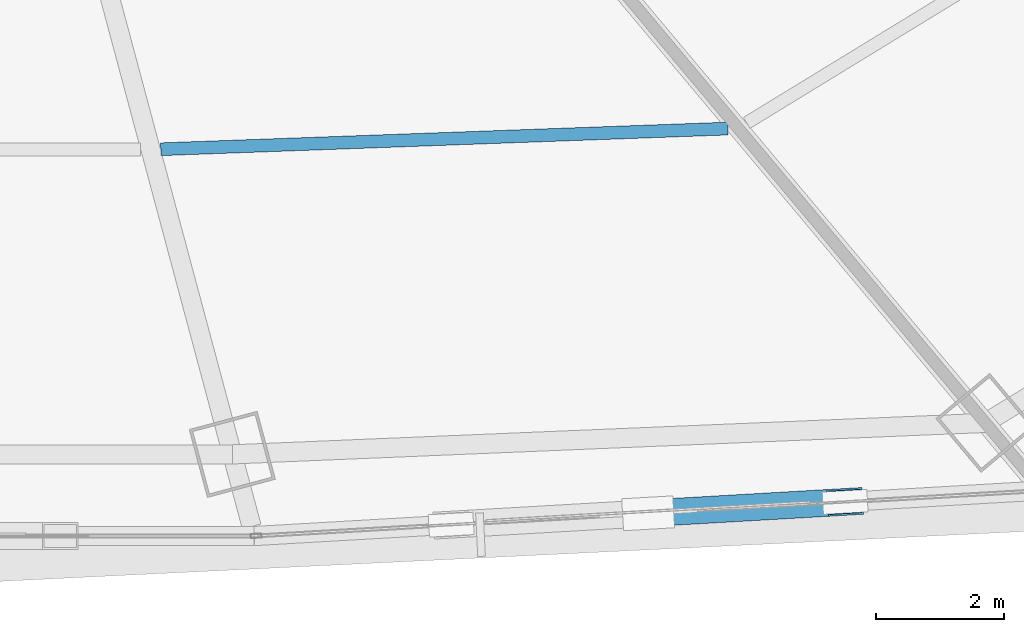
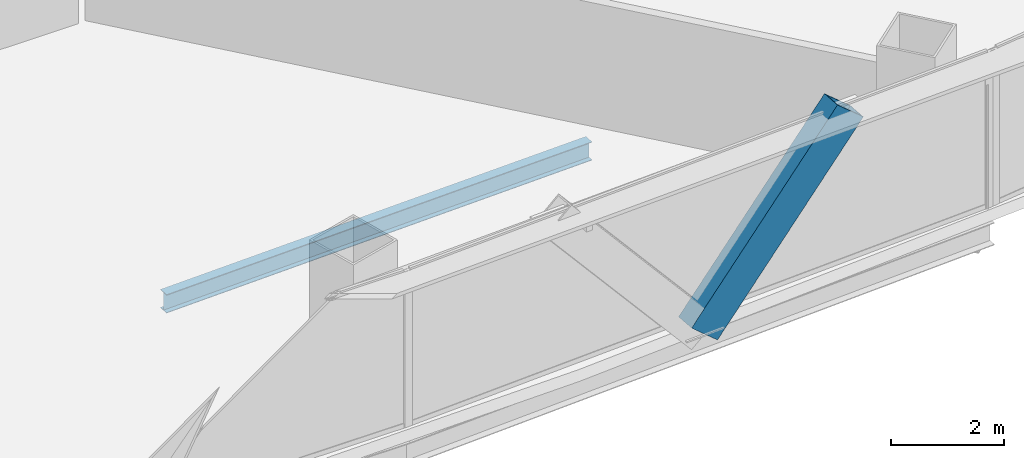
# One storey, part 11 of 37: 1 beam, 1 member.
"""IFC4 building model written with IfcOpenShell, lengths in metres."""

from ifc_helpers import new_model, si_unit, direction, frame, origin, origin_2d, place, context, subcontext, project, spatial, hollow_rectangle, i_section, extrude, source, transform, mapped, material, material_profile, profile_set, type_object, element, save


model = new_model("IFC4")

# Units and contexts
model_context = context("Model", 3, precision=1e-05, world=origin(), true_north=direction((0.0, 1.0)))
body_context = subcontext(model_context, "Body", "Model", "MODEL_VIEW")
ifc_project = project(units=[si_unit("LENGTHUNIT", "METRE"), si_unit("AREAUNIT", "SQUARE_METRE"), si_unit("VOLUMEUNIT", "CUBIC_METRE"), si_unit("PLANEANGLEUNIT", "RADIAN"), si_unit("MASSUNIT", "GRAM", prefix="KILO"), si_unit("THERMODYNAMICTEMPERATUREUNIT", "KELVIN"), si_unit("POWERUNIT", "WATT")], contexts=[model_context])

# Site, building, storey
site_placement = place(None, origin())
site = spatial("IfcSite", under=ifc_project, at=site_placement, CompositionType="ELEMENT")
building_placement = place(site_placement, origin())
building = spatial("IfcBuilding", under=site, at=building_placement, Name="Yunzhuo Pagoda Commons", CompositionType="ELEMENT")
storey_placement = place(building_placement, frame((0.0, 0.0, 55.81005859375)))
storey = spatial("IfcBuildingStorey", under=building, at=storey_placement, Name="L14", CompositionType="ELEMENT", Elevation=55.81005859375)

# Beam
ifc_material_1 = material(Name="Structural steel Q355B", Category="steel")
ifc_material_profile_1 = material_profile(ifc_material_1, i_section(OverallWidth=0.199951171875, OverallDepth=0.39990234375, WebThickness=0.008056640625, FlangeThickness=0.012939453125, at=origin_2d()), Name="Structural steel Q355B")
ifc_profile_set_1 = profile_set([ifc_material_profile_1], Name="Structural steel Q355B")
beam_type = type_object("IfcBeamType", Name="B-JS1 Joist HN 400x200x8x13", PredefinedType="JOIST", material=ifc_profile_set_1)
shared_shape_1 = source(origin(), body_context, "Body", "SweptSolid", [
    extrude(i_section(OverallWidth=0.199951171875, OverallDepth=0.39990234375, WebThickness=0.008056640625, FlangeThickness=0.012939453125, at=origin_2d()), origin(), (0.0, 0.0, 1.0), 8.876953125),
])
beam_placement = place(storey_placement, frame((52.601806640625, 17.125, -0.4599609375), z_axis=(0.999335806416, 0.036440993601, 0.0), x_axis=(-0.036440993601, 0.999335806416, 0.0)))
element("IfcBeam", 1, at=beam_placement, inside=storey, type_object=beam_type, Name="L14 composite ring joist 2.3", PredefinedType="JOIST", context=body_context, shape_type="MappedRepresentation", body=[
    mapped(shared_shape_1, transform((0.0, 0.0, 0.0), scale=1.0)),
])

# Member
ifc_material_2 = material(Name="Structural steel Q420B", Category="steel")
ifc_material_profile_2 = material_profile(ifc_material_2, hollow_rectangle(XDim=0.419921875, YDim=0.719970703125, WallThickness=0.028076171875, at=origin_2d()), Name="Structural steel Q420B")
ifc_profile_set_2 = profile_set([ifc_material_profile_2], Name="Structural steel Q420B")
member_type = type_object("IfcMemberType", Name="M-DL1 Brace BOX 720x420x28", PredefinedType="BRACE", material=ifc_profile_set_2)
shared_shape_2 = source(origin(), body_context, "Body", "SweptSolid", [
    extrude(hollow_rectangle(XDim=0.419921875, YDim=0.719970703125, WallThickness=0.028076171875, at=origin_2d()), origin(), (0.0, 0.0, 1.0), 4.764892578125),
])
member_placement = place(storey_placement, frame((60.22509765625, 11.4306640625, -0.260009765625), z_axis=(0.64672758124, 0.037301353125, 0.761808404205), x_axis=(-0.057581374915, 0.998340816186, 0.0)))
element("IfcMember", 2, at=member_placement, inside=storey, type_object=member_type, Name="L14 facade diamond brace F1.3R", PredefinedType="BRACE", context=body_context, shape_type="MappedRepresentation", body=[
    mapped(shared_shape_2, transform((0.0, 0.0, 0.0), scale=1.0)),
])

save(model, "model.ifc")
